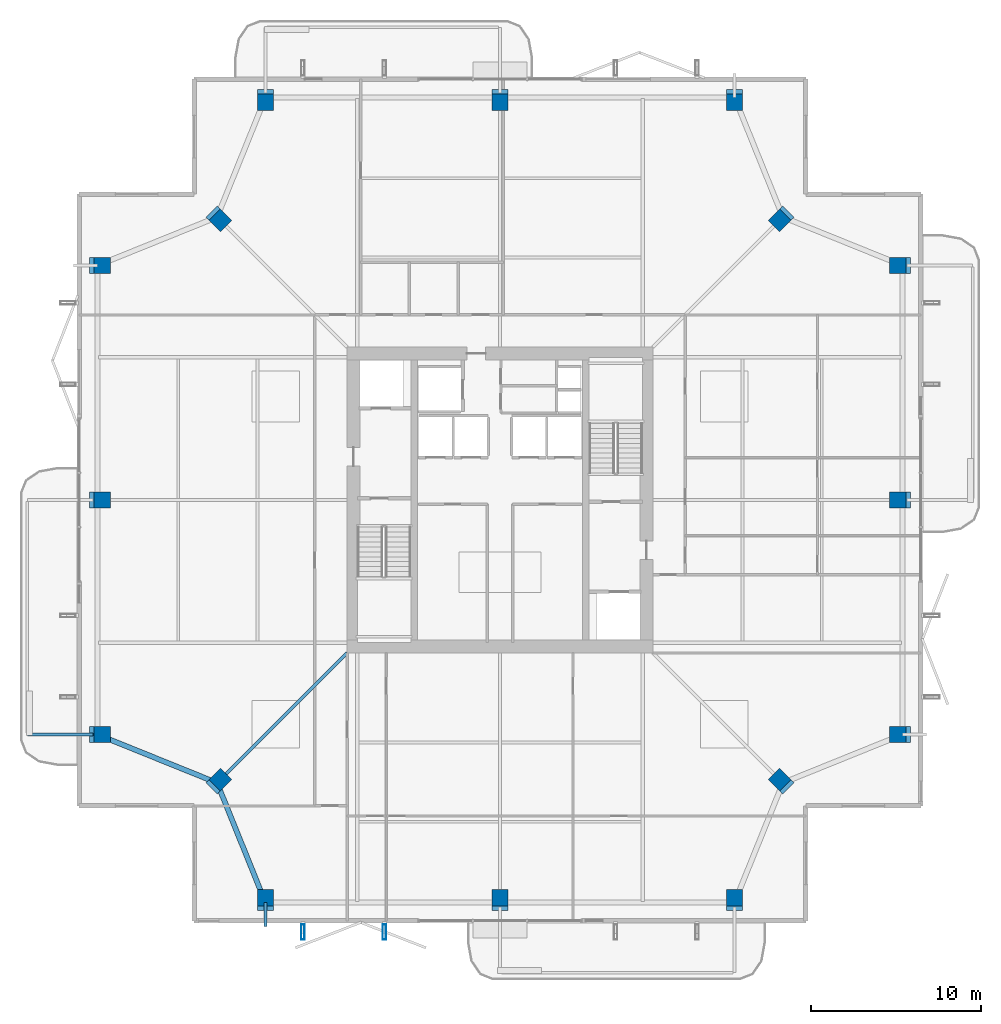
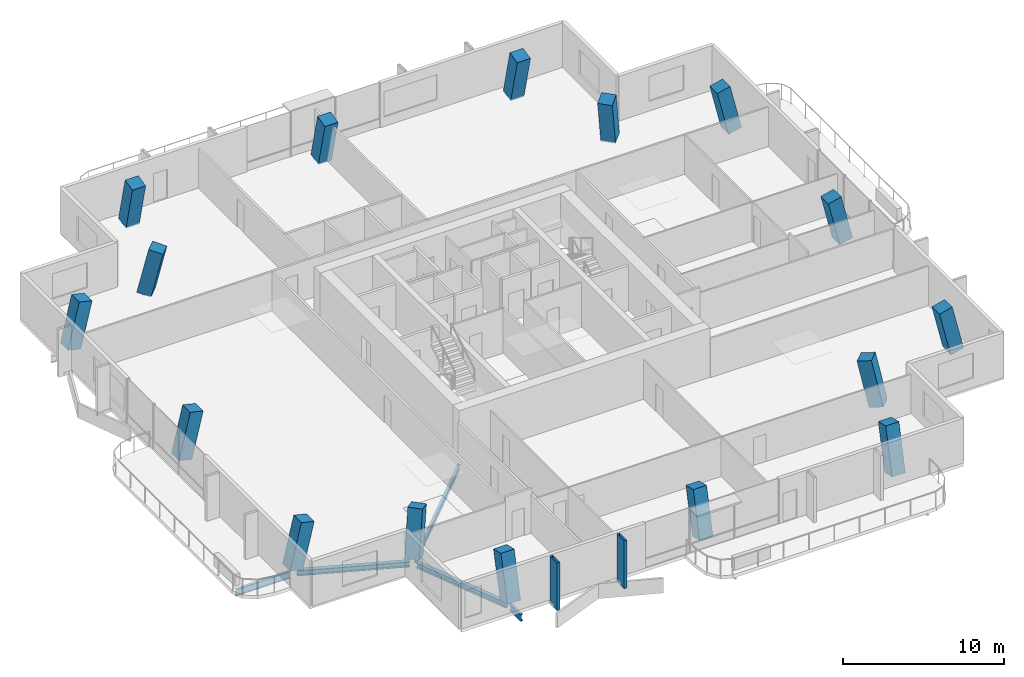
# One storey, part 1 of 25: 16 columns, 5 beams, 2 members.
"""IFC4 building model written with IfcOpenShell, lengths in metres."""

from ifc_helpers import new_model, si_unit, direction, frame, origin, origin_2d, place, context, subcontext, project, spatial, rectangle, hollow_rectangle, i_section, extrude, material, material_profile, profile_set, type_object, element, save


model = new_model("IFC4")

# Units and contexts
model_context = context("Model", 3, precision=1e-05, world=origin(), true_north=direction((0.0, 1.0)))
body_context = subcontext(model_context, "Body", "Model", "MODEL_VIEW")
ifc_project = project(units=[si_unit("LENGTHUNIT", "METRE"), si_unit("AREAUNIT", "SQUARE_METRE"), si_unit("VOLUMEUNIT", "CUBIC_METRE"), si_unit("PLANEANGLEUNIT", "RADIAN"), si_unit("MASSUNIT", "GRAM", prefix="KILO")], contexts=[model_context])

# Site, building, storey
site_placement = place(None, origin())
site = spatial("IfcSite", under=ifc_project, at=site_placement, CompositionType="ELEMENT")
building_placement = place(site_placement, origin())
building = spatial("IfcBuilding", under=site, at=building_placement, Name="Belovzor Exchange Tower", CompositionType="ELEMENT")
storey_placement = place(building_placement, frame((0.0, 0.0, 280.35009765625)))
storey = spatial("IfcBuildingStorey", under=building, at=storey_placement, Name="L70", CompositionType="ELEMENT", Elevation=280.35009765625)

# Columns
ifc_material_1 = material(Name="Concrete C50/60", Category="concrete")
ifc_material_profile_1 = material_profile(ifc_material_1, rectangle(XDim=0.949951171875, YDim=0.949951171875, at=origin_2d()))
ifc_profile_set_1 = profile_set([ifc_material_profile_1], Name="Concrete C50/60")
column_type = type_object("IfcColumnType", Name="Reinforced Concrete Tower Column 950x950", PredefinedType="COLUMN", material=ifc_profile_set_1)
for number, where, z_axis, x_axis, name in (
    (1, (15.0, 5.10107421875, 0.0029296875), (0.0, 0.23333049931, 0.97239748976), (-1.0, 0.0, 0.0), "COL-T095 Reinforced Concrete Tower Column 950x950"),
    (2, (28.800048828125, 5.10107421875, 0.0029296875), (0.0, 0.23333049931, 0.97239748976), (-1.0, 0.0, 0.0), "COL-T095 Reinforced Concrete Tower Column 950x950"),
    (3, (42.60009765625, 5.10107421875, 0.0029296875), (0.0, 0.23333049931, 0.97239748976), (-1.0, 0.0, 0.0), "COL-T095 Reinforced Concrete Tower Column 950x950"),
    (4, (52.4990234375, 15.0, 0.0029296875), (-0.23333049931, 0.0, 0.97239748976), (0.0, -1.0, 0.0), "COL-T095 Reinforced Concrete Tower Column 950x950"),
    (5, (52.4990234375, 28.800048828125, 0.0029296875), (-0.23333049931, 0.0, 0.97239748976), (0.0, -1.0, 0.0), "COL-T095 Reinforced Concrete Tower Column 950x950"),
    (6, (52.4990234375, 42.60009765625, 0.0029296875), (-0.23333049931, 0.0, 0.97239748976), (0.0, -1.0, 0.0), "COL-T095 Reinforced Concrete Tower Column 950x950"),
    (7, (42.60009765625, 52.4990234375, 0.0029296875), (0.0, -0.23333049931, 0.97239748976), (1.0, 0.0, 0.0), "COL-T095 Reinforced Concrete Tower Column 950x950"),
    (8, (28.800048828125, 52.4990234375, 0.0029296875), (0.0, -0.23333049931, 0.97239748976), (1.0, 0.0, 0.0), "COL-T095 Reinforced Concrete Tower Column 950x950"),
    (9, (15.0, 52.4990234375, 0.0029296875), (0.0, -0.23333049931, 0.97239748976), (1.0, 0.0, 0.0), "COL-T095 Reinforced Concrete Tower Column 950x950"),
    (10, (5.10107421875, 42.60009765625, 0.0029296875), (0.23333049931, 0.0, 0.97239748976), (0.0, 1.0, 0.0), "COL-T095 Reinforced Concrete Tower Column 950x950"),
    (11, (5.10107421875, 28.800048828125, 0.0029296875), (0.23333049931, 0.0, 0.97239748976), (0.0, 1.0, 0.0), "COL-T095 Reinforced Concrete Tower Column 950x950"),
    (12, (5.10107421875, 15.0, 0.0029296875), (0.23333049931, 0.0, 0.97239748976), (0.0, 1.0, 0.0), "COL-T095 Reinforced Concrete Tower Column 950x950"),
):
    element("IfcColumn", number, at=place(storey_placement, frame(where, z_axis=z_axis, x_axis=x_axis)), inside=storey, type_object=column_type, Name=name, PredefinedType="COLUMN", context=body_context, shape_type="SweptSolid", body=[
        extrude(rectangle(XDim=0.949951171875, YDim=0.949951171875, at=origin_2d()), origin(), (0.0, 0.0, 1.0), 3.47998046875),
    ])
for number, where, z_axis, x_axis, name in (
    (13, (12.14990234375, 12.14990234375, 0.0029296875), (0.156204794595, 0.156204794595, 0.975294890939), (-0.707106781187, 0.707106781187, 0.0), "COL-T095 Reinforced Concrete Tower Column 950x950"),
    (14, (45.449951171875, 12.14990234375, 0.0029296875), (-0.156204794595, 0.156204794595, 0.975294890939), (-0.707106781187, -0.707106781187, 0.0), "COL-T095 Reinforced Concrete Tower Column 950x950"),
    (15, (45.449951171875, 45.449951171875, 0.0029296875), (-0.156204794595, -0.156204794595, 0.975294890939), (0.707106781187, -0.707106781187, 0.0), "COL-T095 Reinforced Concrete Tower Column 950x950"),
    (16, (12.14990234375, 45.449951171875, 0.0029296875), (0.156204794595, -0.156204794595, 0.975294890939), (0.707106781187, 0.707106781187, 0.0), "COL-T095 Reinforced Concrete Tower Column 950x950"),
):
    element("IfcColumn", number, at=place(storey_placement, frame(where, z_axis=z_axis, x_axis=x_axis)), inside=storey, type_object=column_type, Name=name, PredefinedType="COLUMN", context=body_context, shape_type="SweptSolid", body=[
        extrude(rectangle(XDim=0.949951171875, YDim=0.949951171875, at=origin_2d()), origin(), (0.0, 0.0, 1.0), 3.4697265625),
    ])

# Beams
ifc_material_2 = material(Name="Steel S355", Category="steel")
ifc_material_profile_2 = material_profile(ifc_material_2, i_section(OverallWidth=0.199951171875, OverallDepth=0.5, WebThickness=0.01025390625, FlangeThickness=0.01611328125, at=origin_2d()))
ifc_profile_set_2 = profile_set([ifc_material_profile_2], Name="Steel S355")
beam_type_1 = type_object("IfcBeamType", Name="Planted Balcony Cantilever Beam IPE 500", PredefinedType="BEAM", material=ifc_profile_set_2)
beam_1_placement = place(storey_placement, frame((4.839111328125, 15.0, -0.5), z_axis=(-1.0, 0.0, 0.0), x_axis=(0.0, -1.0, 0.0)))
element("IfcBeam", 17, at=beam_1_placement, inside=storey, type_object=beam_type_1, Name="BC-500 Planted Balcony Cantilever Beam IPE 500", PredefinedType="BEAM", context=body_context, shape_type="SweptSolid", body=[
    extrude(i_section(OverallWidth=0.199951171875, OverallDepth=0.5, WebThickness=0.01025390625, FlangeThickness=0.01611328125, at=origin_2d()), origin(), (0.0, 0.0, 1.0), 3.85009765625),
])
beam_2_placement = place(storey_placement, frame((15.0, 5.10009765625, -0.5), z_axis=(0.0, -1.0, 0.0), x_axis=(1.0, 0.0, 0.0)))
element("IfcBeam", 18, at=beam_2_placement, inside=storey, type_object=beam_type_1, Name="BC-500 Planted Balcony Cantilever Beam IPE 500", PredefinedType="BEAM", context=body_context, shape_type="SweptSolid", body=[
    extrude(i_section(OverallWidth=0.199951171875, OverallDepth=0.5, WebThickness=0.01025390625, FlangeThickness=0.01611328125, at=origin_2d()), origin(), (0.0, 0.0, 1.0), 1.400146484375),
])

# Members
ifc_material_3 = material(Name="Extruded Architectural Terracotta on Steel S355 Carrier", Category="masonry")
ifc_material_profile_3 = material_profile(ifc_material_3, hollow_rectangle(XDim=0.199951171875, YDim=0.89990234375, WallThickness=0.011962890625, at=origin_2d()))
ifc_profile_set_3 = profile_set([ifc_material_profile_3], Name="Extruded Architectural Terracotta on Steel S355 Carrier")
member_type = type_object("IfcMemberType", Name="Sweeping Terracotta Baguette Fin Assembly 950", PredefinedType="USERDEFINED", material=ifc_profile_set_3)
for number, where, z_axis, x_axis, name in (
    (19, (17.199951171875, 3.375, -0.25), (0.0, 0.0, 1.0), (1.0, 0.0, 0.0), "FIN-TC095 Terracotta Facade Fin L70 S1"),
    (20, (22.0, 3.375, -0.25), (0.0, 0.0, 1.0), (1.0, 0.0, 0.0), "FIN-TC095 Terracotta Facade Fin L70 S2"),
):
    element("IfcMember", number, at=place(storey_placement, frame(where, z_axis=z_axis, x_axis=x_axis)), inside=storey, type_object=member_type, Name=name, ObjectType="FIN", PredefinedType="USERDEFINED", context=body_context, shape_type="SweptSolid", body=[
        extrude(hollow_rectangle(XDim=0.199951171875, YDim=0.89990234375, WallThickness=0.011962890625, at=origin_2d()), origin(), (0.0, 0.0, 1.0), 3.639892578125),
    ])

# Beams
ifc_material_4 = material(Name="Steel S355", Category="steel")
ifc_material_profile_4 = material_profile(ifc_material_4, i_section(OverallWidth=0.300048828125, OverallDepth=0.39990234375, WebThickness=0.013427734375, FlangeThickness=0.02392578125, at=origin_2d()))
ifc_profile_set_4 = profile_set([ifc_material_profile_4], Name="Steel S355")
beam_type_2 = type_object("IfcBeamType", Name="Zone 5 Primary Girder HEB 400", PredefinedType="BEAM", material=ifc_profile_set_4)
for number, where, z_axis, x_axis, name in (
    (21, (12.248046875, 11.907958984375, -0.4501953125), (0.374758283536, -0.927122553345, 0.0), (0.927122553345, 0.374758283536, 0.0), "FG-Z5 Zone 5 Primary Girder HEB 400"),
    (22, (5.342041015625, 14.902099609375, -0.4501953125), (0.927122553345, -0.374758283536, 0.0), (0.374758283536, 0.927122553345, 0.0), "FG-Z5 Zone 5 Primary Girder HEB 400"),
):
    element("IfcBeam", number, at=place(storey_placement, frame(where, z_axis=z_axis, x_axis=x_axis)), inside=storey, type_object=beam_type_2, Name=name, PredefinedType="BEAM", context=body_context, shape_type="SweptSolid", body=[
        extrude(i_section(OverallWidth=0.300048828125, OverallDepth=0.39990234375, WebThickness=0.013427734375, FlangeThickness=0.02392578125, at=origin_2d()), origin(), (0.0, 0.0, 1.0), 7.08203125),
    ])
ifc_material_5 = material(Name="Steel S355", Category="steel")
ifc_material_profile_5 = material_profile(ifc_material_5, i_section(OverallWidth=0.179931640625, OverallDepth=0.39990234375, WebThickness=0.008544921875, FlangeThickness=0.013427734375, at=origin_2d()))
ifc_profile_set_5 = profile_set([ifc_material_profile_5], Name="Steel S355")
beam_type_3 = type_object("IfcBeamType", Name="Zone 5-6 Radial Composite Floor Beam IPE 400", PredefinedType="BEAM", material=ifc_profile_set_5)
beam_3_placement = place(storey_placement, frame((19.800048828125, 19.800048828125, -0.4501953125), z_axis=(-0.707106781187, -0.707106781187, 0.0), x_axis=(0.707106781187, -0.707106781187, 0.0)))
element("IfcBeam", 23, at=beam_3_placement, inside=storey, type_object=beam_type_3, Name="FB-400 Zone 5-6 Radial Composite Floor Beam IPE 400", PredefinedType="BEAM", context=body_context, shape_type="SweptSolid", body=[
    extrude(i_section(OverallWidth=0.179931640625, OverallDepth=0.39990234375, WebThickness=0.008544921875, FlangeThickness=0.013427734375, at=origin_2d()), origin(), (0.0, 0.0, 1.0), 10.482421875),
])

save(model, "model.ifc")
